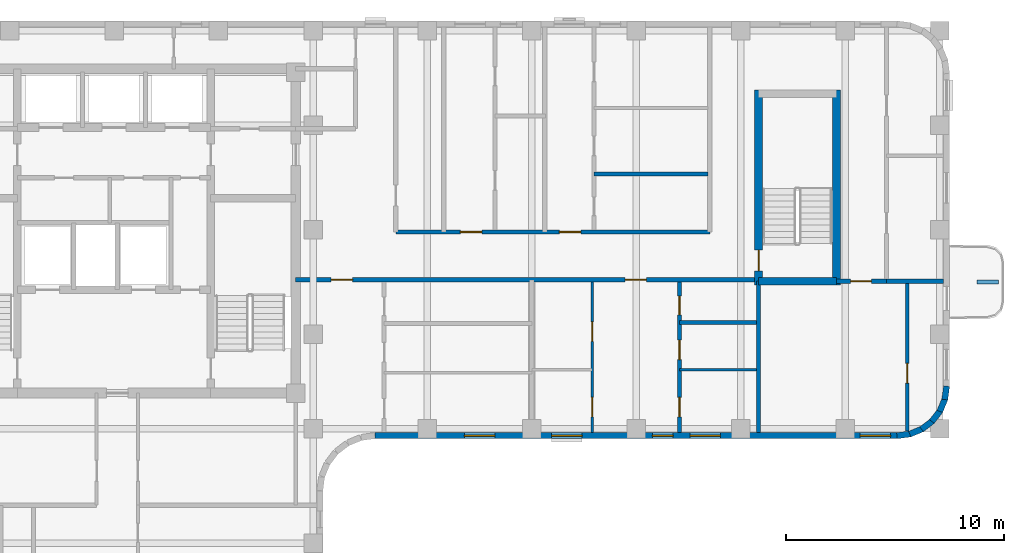
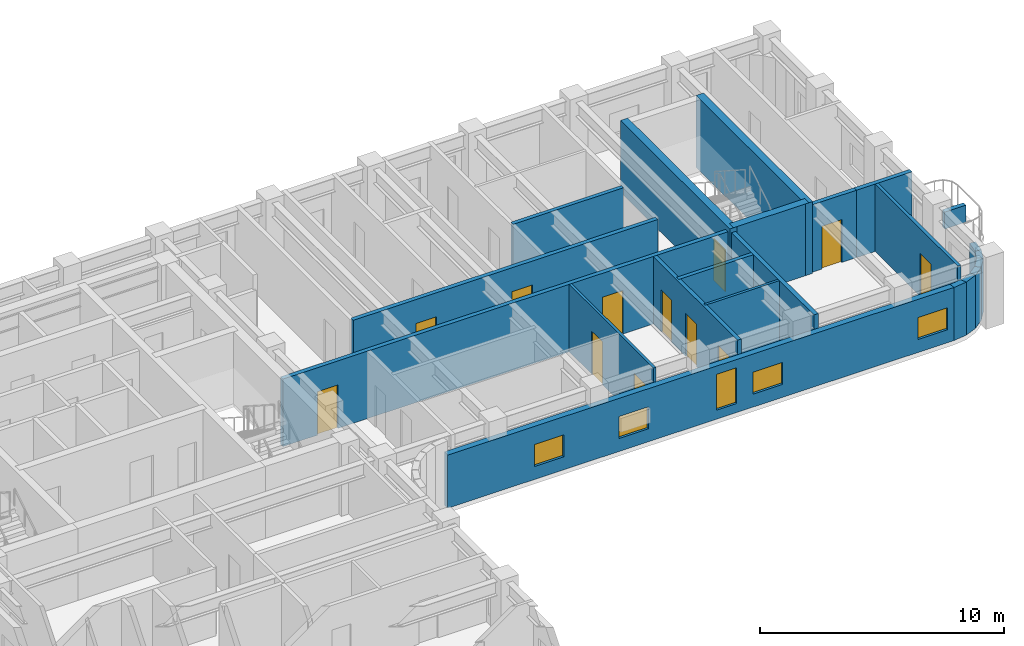
# One storey, part 5 of 10: 22 walls, 12 doors, 5 windows, 17 openings.
"""IFC4 building model written with IfcOpenShell, lengths in metres."""

from ifc_helpers import new_model, si_unit, direction, frame, frame_2d, origin, place, context, subcontext, project, spatial, rectangle, extrude, material, layer, layer_set, type_object, element, fill, save


model = new_model("IFC4")

# Units and contexts
model_context = context("Model", 3, precision=1e-05, world=origin(), true_north=direction((0.0, 1.0)))
body_context = subcontext(model_context, "Body", "Model", "MODEL_VIEW")
ifc_project = project(units=[si_unit("LENGTHUNIT", "METRE"), si_unit("AREAUNIT", "SQUARE_METRE"), si_unit("VOLUMEUNIT", "CUBIC_METRE"), si_unit("PLANEANGLEUNIT", "RADIAN"), si_unit("MASSUNIT", "GRAM", prefix="KILO")], contexts=[model_context])

# Site, building, storey
site_placement = place(None, origin())
site = spatial("IfcSite", under=ifc_project, at=site_placement, CompositionType="ELEMENT")
building_placement = place(site_placement, origin())
building = spatial("IfcBuilding", under=site, at=building_placement, Name="Orvandelia Arch Residences", CompositionType="ELEMENT")
storey_placement = place(building_placement, frame((0.0, 0.0, 225.39990234375)))
storey = spatial("IfcBuildingStorey", under=building, at=storey_placement, Name="L59", CompositionType="ELEMENT", Elevation=225.39990234375)

# Wall, opening, door
ifc_material_1 = material(Name="Concrete C50/60", Category="concrete")
ifc_layer_1 = layer(ifc_material_1, 0.35009765625, Name="Concrete C50/60", Category="concrete")
ifc_layer_set_1 = layer_set([ifc_layer_1], Name="Concrete C50/60")
wall_type_1 = type_object("IfcWallType", Name="WL-CORE-350", PredefinedType="SHEAR", material=ifc_layer_set_1)
wall_1_placement = place(storey_placement, frame((44.02001953125, 35.864990234375, 0.0), z_axis=(0.0, 0.0, 1.0), x_axis=(0.0, 1.0, 0.0)))
wall_1 = element("IfcWall", 1, at=wall_1_placement, inside=storey, type_object=wall_type_1, Name="East Stair Core Shear Wall L59-W", PredefinedType="SHEAR", context=body_context, shape_type="SweptSolid", body=[
    extrude(rectangle(XDim=8.969970703125, YDim=0.35009765625, at=frame_2d((4.48486328125, 0.0))), origin(), (0.0, 0.0, 1.0), 3.60009765625),
])
opening_1_placement = place(wall_1_placement, frame((0.64990234375, 0.0, 0.0)))
opening_1 = element("IfcOpeningElement", 2, at=opening_1_placement, cuts=wall_1, Name="Opening D7", PredefinedType="OPENING", context=body_context, shape_type="SweptSolid", body=[
    extrude(rectangle(XDim=0.949951171875, YDim=2.10009765625, at=frame_2d((0.47509765625, 1.050048828125))), frame((0.0, 0.18505859375, 0.0), z_axis=(0.0, -1.0, 0.0), x_axis=(1.0, 0.0, 0.0)), (0.0, 0.0, 1.0), 0.3701171875),
])
ifc_material_2 = material(Name="Pressurised Stairwell Fire Door")
door_type_1 = type_object("IfcDoorType", Name="DR-STAIR-950", OperationType="NOTDEFINED", PredefinedType="DOOR", material=ifc_material_2)
door_1_placement = place(opening_1_placement, origin())
door_1 = element("IfcDoor", 3, at=door_1_placement, inside=storey, type_object=door_type_1, Name="East Stairwell ST-3 Fire Door L59", OperationType="SINGLE_SWING_LEFT", OverallHeight=2.10009765625, OverallWidth=0.949951171875, PredefinedType="DOOR", context=body_context, shape_type="SweptSolid", body=[
    extrude(rectangle(XDim=0.949951171875, YDim=2.10009765625, at=frame_2d((0.47509765625, 1.050048828125))), frame((0.0, 0.02490234375, 0.0), z_axis=(0.0, -1.0, 0.0), x_axis=(1.0, 0.0, 0.0)), (0.0, 0.0, 1.0), 0.050048828125),
])
fill(opening_1, door_1)

# Walls
wall_2_placement = place(storey_placement, frame((47.60009765625, 35.864990234375, 0.0), z_axis=(0.0, 0.0, 1.0), x_axis=(0.0, 1.0, 0.0)))
element("IfcWall", 4, at=wall_2_placement, inside=storey, type_object=wall_type_1, Name="East Stair Core Shear Wall L59-E", PredefinedType="SHEAR", context=body_context, shape_type="SweptSolid", body=[
    extrude(rectangle(XDim=8.969970703125, YDim=0.35009765625, at=frame_2d((4.48486328125, 0.0))), origin(), (0.0, 0.0, 1.0), 3.60009765625),
])
wall_3_placement = place(storey_placement, frame((44.02001953125, 36.0400390625, 0.0), z_axis=(0.0, 0.0, 1.0), x_axis=(1.0, 0.0, 0.0)))
element("IfcWall", 5, at=wall_3_placement, inside=storey, type_object=wall_type_1, Name="East Stair Core Shear Wall L59-S", PredefinedType="SHEAR", context=body_context, shape_type="SweptSolid", body=[
    extrude(rectangle(XDim=3.580078125, YDim=0.35009765625, at=frame_2d((1.7900390625, 0.0))), origin(), (0.0, 0.0, 1.0), 3.60009765625),
])

# Wall, openings, doors
ifc_material_3 = material(Name="Fire-Rated Corridor Partition")
ifc_layer_2 = layer(ifc_material_3, 0.199951171875, Name="Fire-Rated Corridor Partition")
ifc_layer_set_2 = layer_set([ifc_layer_2], Name="Fire-Rated Corridor Partition")
wall_type_2 = type_object("IfcWallType", Name="WL-CORR-200", PredefinedType="PARTITIONING", material=ifc_layer_set_2)
wall_4_placement = place(storey_placement, frame((22.75, 36.10009765625, 0.0), z_axis=(0.0, 0.0, 1.0), x_axis=(1.0, 0.0, 0.0)))
wall_4 = element("IfcWall", 6, at=wall_4_placement, inside=storey, type_object=wall_type_2, Name="Interior Partition Wall WL-L59-EM-S1", PredefinedType="PARTITIONING", context=body_context, shape_type="SweptSolid", body=[
    extrude(rectangle(XDim=21.27001953125, YDim=0.199951171875, at=frame_2d((10.635009765625, 0.0))), origin(), (0.0, 0.0, 1.0), 3.380126953125),
])
opening_2_placement = place(wall_4_placement, frame((1.631591796875, 0.0, 0.0)))
opening_2 = element("IfcOpeningElement", 7, at=opening_2_placement, cuts=wall_4, Name="Opening D1", PredefinedType="OPENING", context=body_context, shape_type="SweptSolid", body=[
    extrude(rectangle(XDim=0.97998046875, YDim=2.179931640625, at=frame_2d((0.489990234375, 1.08984375))), frame((0.0, 0.10986328125, 0.0), z_axis=(0.0, -1.0, 0.0), x_axis=(1.0, 0.0, 0.0)), (0.0, 0.0, 1.0), 0.219970703125),
])
opening_3_placement = place(wall_4_placement, frame((15.140380859375, 0.0, 0.0)))
opening_3 = element("IfcOpeningElement", 8, at=opening_3_placement, cuts=wall_4, Name="Opening D1", PredefinedType="OPENING", context=body_context, shape_type="SweptSolid", body=[
    extrude(rectangle(XDim=0.97998046875, YDim=2.179931640625, at=frame_2d((0.489990234375, 1.08984375))), frame((0.0, 0.10986328125, 0.0), z_axis=(0.0, -1.0, 0.0), x_axis=(1.0, 0.0, 0.0)), (0.0, 0.0, 1.0), 0.219970703125),
])
ifc_material_4 = material(Name="Solid-Core Timber Acoustic Fire Door", Category="wood")
door_type_2 = type_object("IfcDoorType", Name="DR-ENT-980", OperationType="NOTDEFINED", PredefinedType="DOOR", material=ifc_material_4)
door_2_placement = place(opening_2_placement, origin())
door_2 = element("IfcDoor", 9, at=door_2_placement, inside=storey, type_object=door_type_2, Name="Unit L59-05 Entrance Door", OperationType="SINGLE_SWING_LEFT", OverallHeight=2.179931640625, OverallWidth=0.97998046875, PredefinedType="DOOR", context=body_context, shape_type="SweptSolid", body=[
    extrude(rectangle(XDim=0.97998046875, YDim=2.179931640625, at=frame_2d((0.489990234375, 1.08984375))), frame((0.0, 0.02490234375, 0.0), z_axis=(0.0, -1.0, 0.0), x_axis=(1.0, 0.0, 0.0)), (0.0, 0.0, 1.0), 0.050048828125),
])
fill(opening_2, door_2)
door_3_placement = place(opening_3_placement, origin())
door_3 = element("IfcDoor", 10, at=door_3_placement, inside=storey, type_object=door_type_2, Name="Unit L59-06 Entrance Door", OperationType="SINGLE_SWING_RIGHT", OverallHeight=2.179931640625, OverallWidth=0.97998046875, PredefinedType="DOOR", context=body_context, shape_type="SweptSolid", body=[
    extrude(rectangle(XDim=0.97998046875, YDim=2.179931640625, at=frame_2d((0.489990234375, 1.08984375))), frame((0.0, 0.02490234375, 0.0), z_axis=(0.0, -1.0, 0.0), x_axis=(1.0, 0.0, 0.0)), (0.0, 0.0, 1.0), 0.050048828125),
])
fill(opening_3, door_3)

wall_5_placement = place(storey_placement, frame((27.35009765625, 38.300048828125, 0.0), z_axis=(0.0, 0.0, 1.0), x_axis=(1.0, 0.0, 0.0)))
wall_5 = element("IfcWall", 11, at=wall_5_placement, inside=storey, type_object=wall_type_2, Name="Interior Partition Wall WL-L59-EM-N", PredefinedType="PARTITIONING", context=body_context, shape_type="SweptSolid", body=[
    extrude(rectangle(XDim=14.429931640625, YDim=0.199951171875, at=frame_2d((7.21484375, 0.0))), origin(), (0.0, 0.0, 1.0), 3.380126953125),
])
opening_4_placement = place(wall_5_placement, frame((2.969970703125, 0.0, 0.0)))
opening_4 = element("IfcOpeningElement", 12, at=opening_4_placement, cuts=wall_5, Name="Opening D1", PredefinedType="OPENING", context=body_context, shape_type="SweptSolid", body=[
    extrude(rectangle(XDim=0.97998046875, YDim=2.179931640625, at=frame_2d((0.489990234375, 1.08984375))), frame((0.0, 0.10986328125, 0.0), z_axis=(0.0, -1.0, 0.0), x_axis=(1.0, 0.0, 0.0)), (0.0, 0.0, 1.0), 0.219970703125),
])
opening_5_placement = place(wall_5_placement, frame((7.52001953125, 0.0, 0.0)))
opening_5 = element("IfcOpeningElement", 13, at=opening_5_placement, cuts=wall_5, Name="Opening D1", PredefinedType="OPENING", context=body_context, shape_type="SweptSolid", body=[
    extrude(rectangle(XDim=0.97998046875, YDim=2.179931640625, at=frame_2d((0.489990234375, 1.08984375))), frame((0.0, 0.10986328125, 0.0), z_axis=(0.0, -1.0, 0.0), x_axis=(1.0, 0.0, 0.0)), (0.0, 0.0, 1.0), 0.219970703125),
])
door_4_placement = place(opening_4_placement, origin())
door_4 = element("IfcDoor", 14, at=door_4_placement, inside=storey, type_object=door_type_2, Name="Unit L59-07 Entrance Door", OperationType="SINGLE_SWING_LEFT", OverallHeight=2.179931640625, OverallWidth=0.97998046875, PredefinedType="DOOR", context=body_context, shape_type="SweptSolid", body=[
    extrude(rectangle(XDim=0.97998046875, YDim=2.179931640625, at=frame_2d((0.489990234375, 1.08984375))), frame((0.0, 0.02490234375, 0.0), z_axis=(0.0, -1.0, 0.0), x_axis=(1.0, 0.0, 0.0)), (0.0, 0.0, 1.0), 0.050048828125),
])
fill(opening_4, door_4)
door_5_placement = place(opening_5_placement, origin())
door_5 = element("IfcDoor", 15, at=door_5_placement, inside=storey, type_object=door_type_2, Name="Unit L59-08 Entrance Door", OperationType="SINGLE_SWING_RIGHT", OverallHeight=2.179931640625, OverallWidth=0.97998046875, PredefinedType="DOOR", context=body_context, shape_type="SweptSolid", body=[
    extrude(rectangle(XDim=0.97998046875, YDim=2.179931640625, at=frame_2d((0.489990234375, 1.08984375))), frame((0.0, 0.02490234375, 0.0), z_axis=(0.0, -1.0, 0.0), x_axis=(1.0, 0.0, 0.0)), (0.0, 0.0, 1.0), 0.050048828125),
])
fill(opening_5, door_5)

# Wall, opening, door
wall_6_placement = place(storey_placement, frame((47.60009765625, 36.0400390625, 0.0), z_axis=(0.0, 0.0, 1.0), x_axis=(1.0, 0.0, 0.0)))
wall_6 = element("IfcWall", 16, at=wall_6_placement, inside=storey, type_object=wall_type_2, Name="Interior Partition Wall WL-L59-ETE-S", PredefinedType="PARTITIONING", context=body_context, shape_type="SweptSolid", body=[
    extrude(rectangle(XDim=2.2998046875, YDim=0.199951171875, at=frame_2d((1.14990234375, 0.0))), origin(), (0.0, 0.0, 1.0), 3.380126953125),
])
opening_6_placement = place(wall_6_placement, frame((0.64990234375, 0.0, 0.0)))
opening_6 = element("IfcOpeningElement", 17, at=opening_6_placement, cuts=wall_6, Name="Opening D2", PredefinedType="OPENING", context=body_context, shape_type="SweptSolid", body=[
    extrude(rectangle(XDim=0.949951171875, YDim=2.14990234375, at=frame_2d((0.47509765625, 1.074951171875))), frame((0.0, 0.10986328125, 0.0), z_axis=(0.0, -1.0, 0.0), x_axis=(1.0, 0.0, 0.0)), (0.0, 0.0, 1.0), 0.219970703125),
])
ifc_material_5 = material(Name="Solid-Core Timber Interior Fire Door", Category="wood")
door_type_3 = type_object("IfcDoorType", Name="DR-APT-950", OperationType="NOTDEFINED", PredefinedType="DOOR", material=ifc_material_5)
door_6_placement = place(opening_6_placement, origin())
door_6 = element("IfcDoor", 18, at=door_6_placement, inside=storey, type_object=door_type_3, Name="DR-L59-EMS3", OperationType="SINGLE_SWING_LEFT", OverallHeight=2.14990234375, OverallWidth=0.949951171875, PredefinedType="DOOR", context=body_context, shape_type="SweptSolid", body=[
    extrude(rectangle(XDim=0.949951171875, YDim=2.14990234375, at=frame_2d((0.47509765625, 1.074951171875))), frame((0.0, 0.02490234375, 0.0), z_axis=(0.0, -1.0, 0.0), x_axis=(1.0, 0.0, 0.0)), (0.0, 0.0, 1.0), 0.050048828125),
])
fill(opening_6, door_6)

# Walls
ifc_material_6 = material(Name="Concrete C40/50", Category="concrete")
ifc_layer_3 = layer(ifc_material_6, 0.199951171875, Name="Concrete C40/50", Category="concrete")
ifc_layer_set_3 = layer_set([ifc_layer_3], Name="Concrete C40/50")
wall_type_3 = type_object("IfcWallType", Name="WL-DEM-200", PredefinedType="SOLIDWALL", material=ifc_layer_set_3)
wall_7_placement = place(storey_placement, frame((44.02001953125, 29.080078125, 0.0), z_axis=(0.0, 0.0, 1.0), x_axis=(0.0, 1.0, 0.0)))
element("IfcWall", 19, at=wall_7_placement, inside=storey, type_object=wall_type_3, Name="Interior Partition Wall WL-L59-EMS3-W", PredefinedType="SOLIDWALL", context=body_context, shape_type="SweptSolid", body=[
    extrude(rectangle(XDim=6.9599609375, YDim=0.199951171875, at=frame_2d((3.47998046875, 0.0))), origin(), (0.0, 0.0, 1.0), 3.380126953125),
])
wall_8_placement = place(storey_placement, frame((49.89990234375, 36.0400390625, 0.0), z_axis=(0.0, 0.0, 1.0), x_axis=(1.0, 0.0, 0.0)))
element("IfcWall", 20, at=wall_8_placement, inside=storey, type_object=wall_type_3, Name="Interior Partition Wall WL-L59-EMS3-N2", PredefinedType="SOLIDWALL", context=body_context, shape_type="SweptSolid", body=[
    extrude(rectangle(XDim=2.6201171875, YDim=0.199951171875, at=frame_2d((1.31005859375, 0.0))), origin(), (0.0, 0.0, 1.0), 3.380126953125),
])
ifc_material_7 = material(Name="Precast concrete C40/50", Category="concrete")
ifc_layer_4 = layer(ifc_material_7, 0.280029296875, Name="Precast concrete C40/50", Category="concrete")
ifc_layer_set_4 = layer_set([ifc_layer_4], Name="Precast concrete C40/50")
wall_type_4 = type_object("IfcWallType", Name="WL-EXT-STONE-280", PredefinedType="STANDARD", material=ifc_layer_set_4)
wall_9_placement = place(storey_placement, frame((52.6611328125, 31.21826171875, 0.0), z_axis=(0.0, 0.0, 1.0), x_axis=(-0.130555323746, -0.9914410257, 0.0)))
element("IfcWall", 21, at=wall_9_placement, inside=storey, type_object=wall_type_4, Name="Coral-Limestone Precast Facade Wall L59-015", PredefinedType="STANDARD", context=body_context, shape_type="SweptSolid", body=[
    extrude(rectangle(XDim=0.62646484375, YDim=0.280029296875, at=frame_2d((0.313232421875, 0.0))), origin(), (0.0, 0.0, 1.0), 2.66015625),
])
wall_10_placement = place(storey_placement, frame((52.5888671875, 30.63232421875, 0.0), z_axis=(0.0, 0.0, 1.0), x_axis=(-0.382787856107, -0.923836271867, 0.0)))
element("IfcWall", 22, at=wall_10_placement, inside=storey, type_object=wall_type_4, Name="Coral-Limestone Precast Facade Wall L59-016", PredefinedType="STANDARD", context=body_context, shape_type="SweptSolid", body=[
    extrude(rectangle(XDim=0.626220703125, YDim=0.280029296875, at=frame_2d((0.31298828125, 0.0))), origin(), (0.0, 0.0, 1.0), 2.66015625),
])
for number, where, z_axis, x_axis, name in (
    (23, (52.367431640625, 30.085205078125, 0.0), (0.0, 0.0, 1.0), (-0.608693302629, -0.793405610854, 0.0), "Coral-Limestone Precast Facade Wall L59-017"),
    (24, (52.011962890625, 29.614013671875, 0.0), (0.0, 0.0, 1.0), (-0.793405610854, -0.608693302629, 0.0), "Coral-Limestone Precast Facade Wall L59-018"),
    (25, (51.54638671875, 29.250732421875, 0.0), (0.0, 0.0, 1.0), (-0.92389335771, -0.382650053678, 0.0), "Coral-Limestone Precast Facade Wall L59-019"),
):
    element("IfcWall", number, at=place(storey_placement, frame(where, z_axis=z_axis, x_axis=x_axis)), inside=storey, type_object=wall_type_4, Name=name, PredefinedType="STANDARD", context=body_context, shape_type="SweptSolid", body=[
        extrude(rectangle(XDim=0.62646484375, YDim=0.280029296875, at=frame_2d((0.313232421875, 0.0))), origin(), (0.0, 0.0, 1.0), 2.66015625),
    ])
wall_11_placement = place(storey_placement, frame((51.0029296875, 29.0205078125, 0.0), z_axis=(0.0, 0.0, 1.0), x_axis=(-0.991447664465, -0.130504898859, 0.0)))
element("IfcWall", 26, at=wall_11_placement, inside=storey, type_object=wall_type_4, Name="Coral-Limestone Precast Facade Wall L59-020", PredefinedType="STANDARD", context=body_context, shape_type="SweptSolid", body=[
    extrude(rectangle(XDim=0.626708984375, YDim=0.280029296875, at=frame_2d((0.3134765625, 0.0))), origin(), (0.0, 0.0, 1.0), 2.66015625),
])

# Wall, openings, windows
wall_12_placement = place(storey_placement, frame((50.39990234375, 28.93994140625, 0.0), z_axis=(0.0, 0.0, 1.0), x_axis=(-1.0, 0.0, 0.0)))
wall_12 = element("IfcWall", 27, at=wall_12_placement, inside=storey, type_object=wall_type_4, Name="Coral-Limestone Precast Facade Wall L59-021", PredefinedType="STANDARD", context=body_context, shape_type="SweptSolid", body=[
    extrude(rectangle(XDim=24.0, YDim=0.280029296875, at=frame_2d((12.0, 0.0))), origin(), (0.0, 0.0, 1.0), 2.66015625),
])
opening_7_placement = place(wall_12_placement, frame((18.5, 0.0, 0.64990234375)))
opening_7 = element("IfcOpeningElement", 28, at=opening_7_placement, cuts=wall_12, Name="Opening W10", PredefinedType="OPENING", context=body_context, shape_type="SweptSolid", body=[
    extrude(rectangle(XDim=1.39990234375, YDim=1.10009765625, at=frame_2d((0.699951171875, 0.550048828125))), frame((0.0, 0.14990234375, 0.0), z_axis=(0.0, -1.0, 0.0), x_axis=(1.0, 0.0, 0.0)), (0.0, 0.0, 1.0), 0.300048828125),
])
opening_8_placement = place(wall_12_placement, frame((8.12939453125, 0.0, 0.64990234375)))
opening_8 = element("IfcOpeningElement", 29, at=opening_8_placement, cuts=wall_12, Name="Opening W10", PredefinedType="OPENING", context=body_context, shape_type="SweptSolid", body=[
    extrude(rectangle(XDim=1.39990234375, YDim=1.10009765625, at=frame_2d((0.699951171875, 0.550048828125))), frame((0.0, 0.14990234375, 0.0), z_axis=(0.0, -1.0, 0.0), x_axis=(1.0, 0.0, 0.0)), (0.0, 0.0, 1.0), 0.300048828125),
])
opening_9_placement = place(wall_12_placement, frame((14.489990234375, 0.0, 0.64990234375)))
opening_9 = element("IfcOpeningElement", 30, at=opening_9_placement, cuts=wall_12, Name="Opening W10", PredefinedType="OPENING", context=body_context, shape_type="SweptSolid", body=[
    extrude(rectangle(XDim=1.39990234375, YDim=1.10009765625, at=frame_2d((0.699951171875, 0.550048828125))), frame((0.0, 0.14990234375, 0.0), z_axis=(0.0, -1.0, 0.0), x_axis=(1.0, 0.0, 0.0)), (0.0, 0.0, 1.0), 0.300048828125),
])
opening_10_placement = place(wall_12_placement, frame((0.3076171875, 0.0, 0.64990234375)))
opening_10 = element("IfcOpeningElement", 31, at=opening_10_placement, cuts=wall_12, Name="Opening W10", PredefinedType="OPENING", context=body_context, shape_type="SweptSolid", body=[
    extrude(rectangle(XDim=1.39990234375, YDim=1.10009765625, at=frame_2d((0.699951171875, 0.550048828125))), frame((0.0, 0.14990234375, 0.0), z_axis=(0.0, -1.0, 0.0), x_axis=(1.0, 0.0, 0.0)), (0.0, 0.0, 1.0), 0.300048828125),
])
opening_11_placement = place(wall_12_placement, frame((10.3095703125, 0.0, 0.449951171875)))
opening_11 = element("IfcOpeningElement", 32, at=opening_11_placement, cuts=wall_12, Name="Opening W4", PredefinedType="OPENING", context=body_context, shape_type="SweptSolid", body=[
    extrude(rectangle(XDim=0.949951171875, YDim=1.800048828125, at=frame_2d((0.47509765625, 0.89990234375))), frame((0.0, 0.14990234375, 0.0), z_axis=(0.0, -1.0, 0.0), x_axis=(1.0, 0.0, 0.0)), (0.0, 0.0, 1.0), 0.300048828125),
])
ifc_material_8 = material(Name="Tempered Low-E Insulated Glazing", Category="glass")
window_type_1 = type_object("IfcWindowType", Name="WIN-CLR-1400x1100", PartitioningType="SINGLE_PANEL", PredefinedType="WINDOW", material=ifc_material_8)
window_1_placement = place(opening_7_placement, origin())
window_1 = element("IfcWindow", 33, at=window_1_placement, inside=storey, type_object=window_type_1, Name="Recessed Punched Window L59-013", OverallHeight=1.10009765625, OverallWidth=1.39990234375, PartitioningType="SINGLE_PANEL", PredefinedType="WINDOW", context=body_context, shape_type="SweptSolid", body=[
    extrude(rectangle(XDim=1.39990234375, YDim=1.10009765625, at=frame_2d((0.699951171875, 0.550048828125))), frame((0.0, 0.030029296875, 0.0), z_axis=(0.0, -1.0, 0.0), x_axis=(1.0, 0.0, 0.0)), (0.0, 0.0, 1.0), 0.06005859375),
])
fill(opening_7, window_1)
window_2_placement = place(opening_8_placement, origin())
window_2 = element("IfcWindow", 34, at=window_2_placement, inside=storey, type_object=window_type_1, Name="Recessed Punched Window L59-014", OverallHeight=1.10009765625, OverallWidth=1.39990234375, PartitioningType="SINGLE_PANEL", PredefinedType="WINDOW", context=body_context, shape_type="SweptSolid", body=[
    extrude(rectangle(XDim=1.39990234375, YDim=1.10009765625, at=frame_2d((0.699951171875, 0.550048828125))), frame((0.0, 0.030029296875, 0.0), z_axis=(0.0, -1.0, 0.0), x_axis=(1.0, 0.0, 0.0)), (0.0, 0.0, 1.0), 0.06005859375),
])
fill(opening_8, window_2)
window_3_placement = place(opening_9_placement, origin())
window_3 = element("IfcWindow", 35, at=window_3_placement, inside=storey, type_object=window_type_1, Name="Recessed Punched Window L59-015", OverallHeight=1.10009765625, OverallWidth=1.39990234375, PartitioningType="SINGLE_PANEL", PredefinedType="WINDOW", context=body_context, shape_type="SweptSolid", body=[
    extrude(rectangle(XDim=1.39990234375, YDim=1.10009765625, at=frame_2d((0.699951171875, 0.550048828125))), frame((0.0, 0.030029296875, 0.0), z_axis=(0.0, -1.0, 0.0), x_axis=(1.0, 0.0, 0.0)), (0.0, 0.0, 1.0), 0.06005859375),
])
fill(opening_9, window_3)
window_4_placement = place(opening_10_placement, origin())
window_4 = element("IfcWindow", 36, at=window_4_placement, inside=storey, type_object=window_type_1, Name="Recessed Punched Window L59-016", OverallHeight=1.10009765625, OverallWidth=1.39990234375, PartitioningType="SINGLE_PANEL", PredefinedType="WINDOW", context=body_context, shape_type="SweptSolid", body=[
    extrude(rectangle(XDim=1.39990234375, YDim=1.10009765625, at=frame_2d((0.699951171875, 0.550048828125))), frame((0.0, 0.030029296875, 0.0), z_axis=(0.0, -1.0, 0.0), x_axis=(1.0, 0.0, 0.0)), (0.0, 0.0, 1.0), 0.06005859375),
])
fill(opening_10, window_4)
window_type_2 = type_object("IfcWindowType", Name="WIN-RES-0950x1800", PartitioningType="SINGLE_PANEL", PredefinedType="WINDOW", material=ifc_material_8)
window_5_placement = place(opening_11_placement, origin())
window_5 = element("IfcWindow", 37, at=window_5_placement, inside=storey, type_object=window_type_2, Name="Recessed Punched Window L59-017", OverallHeight=1.800048828125, OverallWidth=0.949951171875, PartitioningType="SINGLE_PANEL", PredefinedType="WINDOW", context=body_context, shape_type="SweptSolid", body=[
    extrude(rectangle(XDim=0.949951171875, YDim=1.800048828125, at=frame_2d((0.47509765625, 0.89990234375))), frame((0.0, 0.030029296875, 0.0), z_axis=(0.0, -1.0, 0.0), x_axis=(1.0, 0.0, 0.0)), (0.0, 0.0, 1.0), 0.06005859375),
])
fill(opening_11, window_5)

# Wall, openings, doors
ifc_material_9 = material(Name="Lightweight Gypsum Stud Partition")
ifc_layer_5 = layer(ifc_material_9, 0.1201171875, Name="Lightweight Gypsum Stud Partition")
ifc_layer_set_5 = layer_set([ifc_layer_5], Name="Lightweight Gypsum Stud Partition")
wall_type_5 = type_object("IfcWallType", Name="WL-PART-120", PredefinedType="PARTITIONING", material=ifc_layer_set_5)
wall_13_placement = place(storey_placement, frame((36.375, 29.080078125, 0.0), z_axis=(0.0, 0.0, 1.0), x_axis=(0.0, 1.0, 0.0)))
wall_13 = element("IfcWall", 38, at=wall_13_placement, inside=storey, type_object=wall_type_5, Name="Interior Partition Wall WL-L59-U06-VB", PredefinedType="PARTITIONING", context=body_context, shape_type="SweptSolid", body=[
    extrude(rectangle(XDim=6.919921875, YDim=0.1201171875, at=frame_2d((3.4599609375, 0.0))), origin(), (0.0, 0.0, 1.0), 3.380126953125),
])
opening_12_placement = place(wall_13_placement, frame((0.71923828125, 0.0, 0.0)))
opening_12 = element("IfcOpeningElement", 39, at=opening_12_placement, cuts=wall_13, Name="Opening D3", PredefinedType="OPENING", context=body_context, shape_type="SweptSolid", body=[
    extrude(rectangle(XDim=0.89990234375, YDim=2.14990234375, at=frame_2d((0.449951171875, 1.074951171875))), frame((0.0, 0.070068359375, 0.0), z_axis=(0.0, -1.0, 0.0), x_axis=(1.0, 0.0, 0.0)), (0.0, 0.0, 1.0), 0.14013671875),
])
opening_13_placement = place(wall_13_placement, frame((4.188720703125, 0.0, 0.0)))
opening_13 = element("IfcOpeningElement", 40, at=opening_13_placement, cuts=wall_13, Name="Opening D3", PredefinedType="OPENING", context=body_context, shape_type="SweptSolid", body=[
    extrude(rectangle(XDim=0.89990234375, YDim=2.14990234375, at=frame_2d((0.449951171875, 1.074951171875))), frame((0.0, 0.070068359375, 0.0), z_axis=(0.0, -1.0, 0.0), x_axis=(1.0, 0.0, 0.0)), (0.0, 0.0, 1.0), 0.14013671875),
])
ifc_material_10 = material(Name="Engineered Timber Flush Door", Category="wood")
door_type_4 = type_object("IfcDoorType", Name="DR-INT-900", OperationType="NOTDEFINED", PredefinedType="DOOR", material=ifc_material_10)
door_7_placement = place(opening_12_placement, origin())
door_7 = element("IfcDoor", 41, at=door_7_placement, inside=storey, type_object=door_type_4, Name="DR-L59-U06-BD2", OperationType="SINGLE_SWING_LEFT", OverallHeight=2.14990234375, OverallWidth=0.89990234375, PredefinedType="DOOR", context=body_context, shape_type="SweptSolid", body=[
    extrude(rectangle(XDim=0.89990234375, YDim=2.14990234375, at=frame_2d((0.449951171875, 1.074951171875))), frame((0.0, 0.02490234375, 0.0), z_axis=(0.0, -1.0, 0.0), x_axis=(1.0, 0.0, 0.0)), (0.0, 0.0, 1.0), 0.050048828125),
])
fill(opening_12, door_7)
door_8_placement = place(opening_13_placement, origin())
door_8 = element("IfcDoor", 42, at=door_8_placement, inside=storey, type_object=door_type_4, Name="DR-L59-U06-STDY", OperationType="SINGLE_SWING_RIGHT", OverallHeight=2.14990234375, OverallWidth=0.89990234375, PredefinedType="DOOR", context=body_context, shape_type="SweptSolid", body=[
    extrude(rectangle(XDim=0.89990234375, YDim=2.14990234375, at=frame_2d((0.449951171875, 1.074951171875))), frame((0.0, 0.02490234375, 0.0), z_axis=(0.0, -1.0, 0.0), x_axis=(1.0, 0.0, 0.0)), (0.0, 0.0, 1.0), 0.050048828125),
])
fill(opening_13, door_8)

# Wall
wall_14_placement = place(storey_placement, frame((40.385986328125, 31.97509765625, 0.0), z_axis=(0.0, 0.0, 1.0), x_axis=(1.0, 0.0, 0.0)))
element("IfcWall", 43, at=wall_14_placement, inside=storey, type_object=wall_type_5, Name="Interior Partition Wall WL-L59-U06-H1", PredefinedType="PARTITIONING", context=body_context, shape_type="SweptSolid", body=[
    extrude(rectangle(XDim=3.533935546875, YDim=0.1201171875, at=frame_2d((1.76708984375, 0.0))), origin(), (0.0, 0.0, 1.0), 3.380126953125),
])

# Wall, opening, door
ifc_material_11 = material(Name="Acoustic Gypsum Stud Partition")
ifc_layer_6 = layer(ifc_material_11, 0.14990234375, Name="Acoustic Gypsum Stud Partition")
ifc_layer_set_6 = layer_set([ifc_layer_6], Name="Acoustic Gypsum Stud Partition")
wall_type_6 = type_object("IfcWallType", Name="WL-PART-150", PredefinedType="PARTITIONING", material=ifc_layer_set_6)
wall_15_placement = place(storey_placement, frame((50.85009765625, 29.159912109375, 0.0), z_axis=(0.0, 0.0, 1.0), x_axis=(0.0, 1.0, 0.0)))
wall_15 = element("IfcWall", 44, at=wall_15_placement, inside=storey, type_object=wall_type_6, Name="Interior Partition Wall WL-L59-EMS3-M", PredefinedType="PARTITIONING", context=body_context, shape_type="SweptSolid", body=[
    extrude(rectangle(XDim=6.880126953125, YDim=0.14990234375, at=frame_2d((3.43994140625, 0.0))), origin(), (0.0, 0.0, 1.0), 3.380126953125),
])
opening_14_placement = place(wall_15_placement, frame((2.199951171875, 0.0, 0.0)))
opening_14 = element("IfcOpeningElement", 45, at=opening_14_placement, cuts=wall_15, Name="Opening D3", PredefinedType="OPENING", context=body_context, shape_type="SweptSolid", body=[
    extrude(rectangle(XDim=0.89990234375, YDim=2.14990234375, at=frame_2d((0.449951171875, 1.074951171875))), frame((0.0, 0.0849609375, 0.0), z_axis=(0.0, -1.0, 0.0), x_axis=(1.0, 0.0, 0.0)), (0.0, 0.0, 1.0), 0.169921875),
])
door_9_placement = place(opening_14_placement, origin())
door_9 = element("IfcDoor", 46, at=door_9_placement, inside=storey, type_object=door_type_4, Name="DR-L59-EMS3M", OperationType="SINGLE_SWING_RIGHT", OverallHeight=2.14990234375, OverallWidth=0.89990234375, PredefinedType="DOOR", context=body_context, shape_type="SweptSolid", body=[
    extrude(rectangle(XDim=0.89990234375, YDim=2.14990234375, at=frame_2d((0.449951171875, 1.074951171875))), frame((0.0, 0.02490234375, 0.0), z_axis=(0.0, -1.0, 0.0), x_axis=(1.0, 0.0, 0.0)), (0.0, 0.0, 1.0), 0.050048828125),
])
fill(opening_14, door_9)

# Wall
ifc_layer_7 = layer(ifc_material_7, 0.199951171875, Name="Precast concrete C40/50", Category="concrete")
ifc_layer_set_7 = layer_set([ifc_layer_7], Name="Precast concrete C40/50")
wall_type_7 = type_object("IfcWallType", Name="WL-PLANTER-200", PredefinedType="MOVABLE", material=ifc_layer_set_7)
wall_16_placement = place(storey_placement, frame((54.050048828125, 36.0, 0.0), z_axis=(0.0, 0.0, 1.0), x_axis=(1.0, 0.0, 0.0)))
element("IfcWall", 47, at=wall_16_placement, inside=storey, type_object=wall_type_7, Name="Balcony Precast Tree Planter BAL-L59-E1", PredefinedType="MOVABLE", context=body_context, shape_type="SweptSolid", body=[
    extrude(rectangle(XDim=1.0, YDim=0.199951171875, at=frame_2d((0.5, 0.0))), origin(), (0.0, 0.0, 1.0), 0.85009765625),
])

# Wall, openings, doors
ifc_material_12 = material(Name="Moisture-Resistant Plumbing Wall")
ifc_layer_8 = layer(ifc_material_12, 0.179931640625, Name="Moisture-Resistant Plumbing Wall")
ifc_layer_set_8 = layer_set([ifc_layer_8], Name="Moisture-Resistant Plumbing Wall")
wall_type_8 = type_object("IfcWallType", Name="WL-WET-180", PredefinedType="PLUMBINGWALL", material=ifc_layer_set_8)
wall_17_placement = place(storey_placement, frame((40.385986328125, 29.080078125, 0.0), z_axis=(0.0, 0.0, 1.0), x_axis=(0.0, 1.0, 0.0)))
wall_17 = element("IfcWall", 48, at=wall_17_placement, inside=storey, type_object=wall_type_8, Name="Interior Partition Wall WL-L59-U06-VT", PredefinedType="PLUMBINGWALL", context=body_context, shape_type="SweptSolid", body=[
    extrude(rectangle(XDim=6.919921875, YDim=0.179931640625, at=frame_2d((3.4599609375, 0.0))), origin(), (0.0, 0.0, 1.0), 3.380126953125),
])
opening_15_placement = place(wall_17_placement, frame((0.71923828125, 0.0, 0.0)))
opening_15 = element("IfcOpeningElement", 49, at=opening_15_placement, cuts=wall_17, Name="Opening D3", PredefinedType="OPENING", context=body_context, shape_type="SweptSolid", body=[
    extrude(rectangle(XDim=0.89990234375, YDim=2.14990234375, at=frame_2d((0.449951171875, 1.074951171875))), frame((0.0, 0.10009765625, 0.0), z_axis=(0.0, -1.0, 0.0), x_axis=(1.0, 0.0, 0.0)), (0.0, 0.0, 1.0), 0.199951171875),
])
opening_16_placement = place(wall_17_placement, frame((3.35546875, 0.0, 0.0)))
opening_16 = element("IfcOpeningElement", 50, at=opening_16_placement, cuts=wall_17, Name="Opening D3", PredefinedType="OPENING", context=body_context, shape_type="SweptSolid", body=[
    extrude(rectangle(XDim=0.89990234375, YDim=2.14990234375, at=frame_2d((0.449951171875, 1.074951171875))), frame((0.0, 0.10009765625, 0.0), z_axis=(0.0, -1.0, 0.0), x_axis=(1.0, 0.0, 0.0)), (0.0, 0.0, 1.0), 0.199951171875),
])
opening_17_placement = place(wall_17_placement, frame((5.406494140625, 0.0, 0.0)))
opening_17 = element("IfcOpeningElement", 51, at=opening_17_placement, cuts=wall_17, Name="Opening D4", PredefinedType="OPENING", context=body_context, shape_type="SweptSolid", body=[
    extrude(rectangle(XDim=0.860107421875, YDim=2.10009765625, at=frame_2d((0.43017578125, 1.050048828125))), frame((0.0, 0.10009765625, 0.0), z_axis=(0.0, -1.0, 0.0), x_axis=(1.0, 0.0, 0.0)), (0.0, 0.0, 1.0), 0.199951171875),
])
door_10_placement = place(opening_15_placement, origin())
door_10 = element("IfcDoor", 52, at=door_10_placement, inside=storey, type_object=door_type_4, Name="DR-L59-U06-BD1", OperationType="SINGLE_SWING_RIGHT", OverallHeight=2.14990234375, OverallWidth=0.89990234375, PredefinedType="DOOR", context=body_context, shape_type="SweptSolid", body=[
    extrude(rectangle(XDim=0.89990234375, YDim=2.14990234375, at=frame_2d((0.449951171875, 1.074951171875))), frame((0.0, 0.02490234375, 0.0), z_axis=(0.0, -1.0, 0.0), x_axis=(1.0, 0.0, 0.0)), (0.0, 0.0, 1.0), 0.050048828125),
])
fill(opening_15, door_10)
door_11_placement = place(opening_16_placement, origin())
door_11 = element("IfcDoor", 53, at=door_11_placement, inside=storey, type_object=door_type_4, Name="DR-L59-U06-KIT", OperationType="SINGLE_SWING_LEFT", OverallHeight=2.14990234375, OverallWidth=0.89990234375, PredefinedType="DOOR", context=body_context, shape_type="SweptSolid", body=[
    extrude(rectangle(XDim=0.89990234375, YDim=2.14990234375, at=frame_2d((0.449951171875, 1.074951171875))), frame((0.0, 0.02490234375, 0.0), z_axis=(0.0, -1.0, 0.0), x_axis=(1.0, 0.0, 0.0)), (0.0, 0.0, 1.0), 0.050048828125),
])
fill(opening_16, door_11)
ifc_material_13 = material(Name="Moisture-Sealed Timber Bathroom Door", Category="wood")
door_type_5 = type_object("IfcDoorType", Name="DR-WET-900", OperationType="NOTDEFINED", PredefinedType="DOOR", material=ifc_material_13)
door_12_placement = place(opening_17_placement, origin())
door_12 = element("IfcDoor", 54, at=door_12_placement, inside=storey, type_object=door_type_5, Name="DR-L59-U06-BTH", OperationType="SINGLE_SWING_RIGHT", OverallHeight=2.10009765625, OverallWidth=0.860107421875, PredefinedType="DOOR", context=body_context, shape_type="SweptSolid", body=[
    extrude(rectangle(XDim=0.860107421875, YDim=2.10009765625, at=frame_2d((0.43017578125, 1.050048828125))), frame((0.0, 0.02490234375, 0.0), z_axis=(0.0, -1.0, 0.0), x_axis=(1.0, 0.0, 0.0)), (0.0, 0.0, 1.0), 0.050048828125),
])
fill(opening_17, door_12)

# Walls
wall_18_placement = place(storey_placement, frame((40.385986328125, 34.14794921875, 0.0), z_axis=(0.0, 0.0, 1.0), x_axis=(1.0, 0.0, 0.0)))
element("IfcWall", 55, at=wall_18_placement, inside=storey, type_object=wall_type_8, Name="Interior Partition Wall WL-L59-U06-H2", PredefinedType="PLUMBINGWALL", context=body_context, shape_type="SweptSolid", body=[
    extrude(rectangle(XDim=3.533935546875, YDim=0.179931640625, at=frame_2d((1.76708984375, 0.0))), origin(), (0.0, 0.0, 1.0), 3.380126953125),
])
wall_19_placement = place(storey_placement, frame((36.4599609375, 40.962890625, 0.0), z_axis=(0.0, 0.0, 1.0), x_axis=(1.0, 0.0, 0.0)))
element("IfcWall", 56, at=wall_19_placement, inside=storey, type_object=wall_type_8, Name="Interior Partition Wall WL-L59-U08-H1", PredefinedType="PLUMBINGWALL", context=body_context, shape_type="SweptSolid", body=[
    extrude(rectangle(XDim=5.239990234375, YDim=0.179931640625, at=frame_2d((2.6201171875, 0.0))), origin(), (0.0, 0.0, 1.0), 3.380126953125),
])

save(model, "model.ifc")
